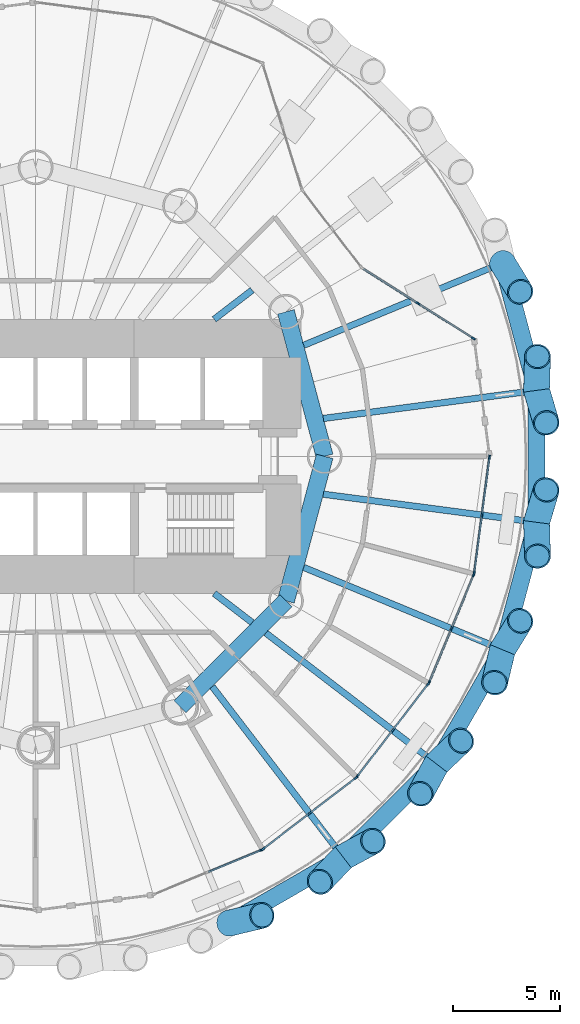
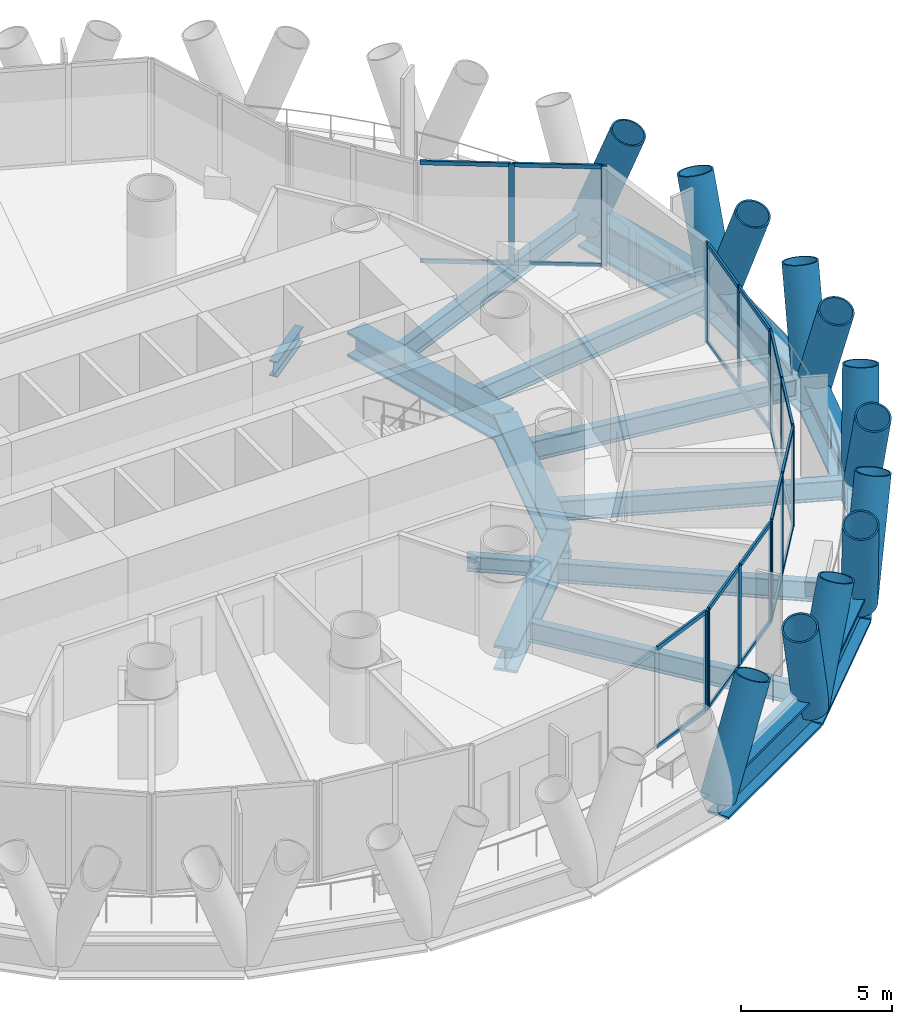
# One storey, part 4 of 15: 49 members, 17 beams, 6 elements without a shape of their own.
"""IFC4 building model written with IfcOpenShell, lengths in metres."""

from ifc_helpers import new_model, si_unit, direction, frame, origin, origin_2d, place, context, subcontext, project, spatial, rectangle, hollow_circle, i_section, extrude, material, material_profile, profile_set, type_object, element, aggregate, save


model = new_model("IFC4")

# Units and contexts
model_context = context("Model", 3, precision=1e-05, world=origin(), true_north=direction((0.0, 1.0)))
body_context = subcontext(model_context, "Body", "Model", "MODEL_VIEW")
ifc_project = project(units=[si_unit("LENGTHUNIT", "METRE"), si_unit("AREAUNIT", "SQUARE_METRE"), si_unit("VOLUMEUNIT", "CUBIC_METRE"), si_unit("PLANEANGLEUNIT", "RADIAN"), si_unit("MASSUNIT", "GRAM", prefix="KILO")], contexts=[model_context])

# Site, building, storey
site_placement = place(None, origin())
site = spatial("IfcSite", under=ifc_project, at=site_placement, CompositionType="ELEMENT")
building_placement = place(site_placement, origin())
building = spatial("IfcBuilding", under=site, at=building_placement, Name="Qaws Media Tower", CompositionType="ELEMENT")
storey_placement = place(building_placement, frame((0.0, 0.0, 34.39990234375)))
storey = spatial("IfcBuildingStorey", under=building, at=storey_placement, Name="L06", CompositionType="ELEMENT", Elevation=34.39990234375)

# Curtain wall, members
ifc_material_1 = material(Name="Aluminium and clear glass", Category="aluminium")
curtain_wall_type_1 = type_object("IfcCurtainWallType", Name="Loggia curtain wall CW-G", PredefinedType="NOTDEFINED", material=ifc_material_1)
curtain_wall_1_placement = place(storey_placement, origin())
curtain_wall_1 = element("IfcCurtainWall", 1, at=curtain_wall_1_placement, inside=storey, type_object=curtain_wall_type_1, Name="CWG curtain wall L06-02", PredefinedType="NOTDEFINED")
ifc_material_2 = material(Name="Aluminium mullion", Category="aluminium")
ifc_material_profile_1 = material_profile(ifc_material_2, rectangle(XDim=0.080078125, YDim=0.199951171875, at=origin_2d()), Name="80x200")
ifc_profile_set_1 = profile_set([ifc_material_profile_1], Name="Aluminium mullion")
member_type_1 = type_object("IfcMemberType", Name="Curtain wall mullion 80x200", PredefinedType="MULLION", material=ifc_profile_set_1)
member_1_placement = place(storey_placement, frame((80.44384765625, 55.50830078125, 0.0), z_axis=(0.0, 0.0, 1.0), x_axis=(-0.534725813808, -0.845025623308, 0.0)))
member_1 = element("IfcMember", 2, at=member_1_placement, type_object=member_type_1, Name="CWG mullion 1", PredefinedType="MULLION", context=body_context, shape_type="SweptSolid", body=[
    extrude(rectangle(XDim=0.080078125, YDim=0.199951171875, at=origin_2d()), origin(), (0.0, 0.0, 1.0), 4.0400390625),
])
member_2_placement = place(storey_placement, frame((77.85986328125, 57.1435546875, 0.0), z_axis=(0.0, 0.0, 1.0), x_axis=(-0.534725813808, -0.845025623308, 0.0)))
member_2 = element("IfcMember", 3, at=member_2_placement, type_object=member_type_1, Name="CWG mullion 2", PredefinedType="MULLION", context=body_context, shape_type="SweptSolid", body=[
    extrude(rectangle(XDim=0.080078125, YDim=0.199951171875, at=origin_2d()), origin(), (0.0, 0.0, 1.0), 4.0400390625),
])

# Curtain wall, member
ifc_material_3 = material(Name="Aluminium and clear glass", Category="aluminium")
curtain_wall_type_2 = type_object("IfcCurtainWallType", Name="Unitised curtain wall CW-A", PredefinedType="NOTDEFINED", material=ifc_material_3)
curtain_wall_2_placement = place(storey_placement, origin())
curtain_wall_2 = element("IfcCurtainWall", 4, at=curtain_wall_2_placement, inside=storey, type_object=curtain_wall_type_2, Name="CWA curtain wall L06-20", PredefinedType="NOTDEFINED")
member_3_placement = place(storey_placement, frame((70.56298828125, 31.625, 0.0), z_axis=(0.0, 0.0, 1.0), x_axis=(-0.382683454553, 0.923879523321, 0.0)))
member_3 = element("IfcMember", 5, at=member_3_placement, type_object=member_type_1, Name="CWA mullion 3", PredefinedType="MULLION", context=body_context, shape_type="SweptSolid", body=[
    extrude(rectangle(XDim=0.080078125, YDim=0.199951171875, at=origin_2d()), origin(), (0.0, 0.0, 1.0), 4.0400390625),
])

# Curtain wall, members
curtain_wall_3_placement = place(storey_placement, origin())
curtain_wall_3 = element("IfcCurtainWall", 6, at=curtain_wall_3_placement, inside=storey, type_object=curtain_wall_type_2, Name="CWA curtain wall L06-21", PredefinedType="NOTDEFINED")
member_4_placement = place(storey_placement, frame((70.6318359375, 31.66455078125, 0.0), z_axis=(0.0, 0.0, 1.0), x_axis=(-0.608761431016, 0.793353338751, 0.0)))
member_4 = element("IfcMember", 7, at=member_4_placement, type_object=member_type_1, Name="CWA mullion 1", PredefinedType="MULLION", context=body_context, shape_type="SweptSolid", body=[
    extrude(rectangle(XDim=0.080078125, YDim=0.199951171875, at=origin_2d()), origin(), (0.0, 0.0, 1.0), 4.0400390625),
])
member_5_placement = place(storey_placement, frame((72.79541015625, 33.32470703125, 0.0), z_axis=(0.0, 0.0, 1.0), x_axis=(-0.608761431016, 0.793353338751, 0.0)))
member_5 = element("IfcMember", 8, at=member_5_placement, type_object=member_type_1, Name="CWA mullion 2", PredefinedType="MULLION", context=body_context, shape_type="SweptSolid", body=[
    extrude(rectangle(XDim=0.080078125, YDim=0.199951171875, at=origin_2d()), origin(), (0.0, 0.0, 1.0), 4.0400390625),
])
member_6_placement = place(storey_placement, frame((74.958984375, 34.985107421875, 0.0), z_axis=(0.0, 0.0, 1.0), x_axis=(-0.608761431016, 0.793353338751, 0.0)))
member_6 = element("IfcMember", 9, at=member_6_placement, type_object=member_type_1, Name="CWA mullion 3", PredefinedType="MULLION", context=body_context, shape_type="SweptSolid", body=[
    extrude(rectangle(XDim=0.080078125, YDim=0.199951171875, at=origin_2d()), origin(), (0.0, 0.0, 1.0), 4.0400390625),
])

curtain_wall_4_placement = place(storey_placement, origin())
curtain_wall_4 = element("IfcCurtainWall", 10, at=curtain_wall_4_placement, inside=storey, type_object=curtain_wall_type_2, Name="CWA curtain wall L06-22", PredefinedType="NOTDEFINED")
member_7_placement = place(storey_placement, frame((75.014892578125, 35.041015625, 0.0), z_axis=(0.0, 0.0, 1.0), x_axis=(-0.793353338751, 0.608761431016, 0.0)))
member_7 = element("IfcMember", 11, at=member_7_placement, type_object=member_type_1, Name="CWA mullion 1", PredefinedType="MULLION", context=body_context, shape_type="SweptSolid", body=[
    extrude(rectangle(XDim=0.080078125, YDim=0.199951171875, at=origin_2d()), origin(), (0.0, 0.0, 1.0), 4.0400390625),
])
member_8_placement = place(storey_placement, frame((76.67529296875, 37.20458984375, 0.0), z_axis=(0.0, 0.0, 1.0), x_axis=(-0.793353338751, 0.608761431016, 0.0)))
member_8 = element("IfcMember", 12, at=member_8_placement, type_object=member_type_1, Name="CWA mullion 2", PredefinedType="MULLION", context=body_context, shape_type="SweptSolid", body=[
    extrude(rectangle(XDim=0.080078125, YDim=0.199951171875, at=origin_2d()), origin(), (0.0, 0.0, 1.0), 4.0400390625),
])
member_9_placement = place(storey_placement, frame((78.33544921875, 39.3681640625, 0.0), z_axis=(0.0, 0.0, 1.0), x_axis=(-0.793353338751, 0.608761431016, 0.0)))
member_9 = element("IfcMember", 13, at=member_9_placement, type_object=member_type_1, Name="CWA mullion 3", PredefinedType="MULLION", context=body_context, shape_type="SweptSolid", body=[
    extrude(rectangle(XDim=0.080078125, YDim=0.199951171875, at=origin_2d()), origin(), (0.0, 0.0, 1.0), 4.0400390625),
])

curtain_wall_5_placement = place(storey_placement, origin())
curtain_wall_5 = element("IfcCurtainWall", 14, at=curtain_wall_5_placement, inside=storey, type_object=curtain_wall_type_2, Name="CWA curtain wall L06-23", PredefinedType="NOTDEFINED")
member_10_placement = place(storey_placement, frame((78.375, 39.43701171875, 0.0), z_axis=(0.0, 0.0, 1.0), x_axis=(-0.923879523321, 0.382683454553, 0.0)))
member_10 = element("IfcMember", 15, at=member_10_placement, type_object=member_type_1, Name="CWA mullion 1", PredefinedType="MULLION", context=body_context, shape_type="SweptSolid", body=[
    extrude(rectangle(XDim=0.080078125, YDim=0.199951171875, at=origin_2d()), origin(), (0.0, 0.0, 1.0), 4.0400390625),
])
member_11_placement = place(storey_placement, frame((79.418701171875, 41.95654296875, 0.0), z_axis=(0.0, 0.0, 1.0), x_axis=(-0.923879523321, 0.382683454553, 0.0)))
member_11 = element("IfcMember", 16, at=member_11_placement, type_object=member_type_1, Name="CWA mullion 2", PredefinedType="MULLION", context=body_context, shape_type="SweptSolid", body=[
    extrude(rectangle(XDim=0.080078125, YDim=0.199951171875, at=origin_2d()), origin(), (0.0, 0.0, 1.0), 4.0400390625),
])
member_12_placement = place(storey_placement, frame((80.46240234375, 44.47607421875, 0.0), z_axis=(0.0, 0.0, 1.0), x_axis=(-0.923879523321, 0.382683454553, 0.0)))
member_12 = element("IfcMember", 17, at=member_12_placement, type_object=member_type_1, Name="CWA mullion 3", PredefinedType="MULLION", context=body_context, shape_type="SweptSolid", body=[
    extrude(rectangle(XDim=0.080078125, YDim=0.199951171875, at=origin_2d()), origin(), (0.0, 0.0, 1.0), 4.0400390625),
])

curtain_wall_6_placement = place(storey_placement, origin())
curtain_wall_6 = element("IfcCurtainWall", 18, at=curtain_wall_6_placement, inside=storey, type_object=curtain_wall_type_2, Name="CWA curtain wall L06-24", PredefinedType="NOTDEFINED")
member_13_placement = place(storey_placement, frame((80.48291015625, 44.552734375, 0.0), z_axis=(0.0, 0.0, 1.0), x_axis=(-0.991444873411, 0.130526100786, 0.0)))
member_13 = element("IfcMember", 19, at=member_13_placement, type_object=member_type_1, Name="CWA mullion 1", PredefinedType="MULLION", context=body_context, shape_type="SweptSolid", body=[
    extrude(rectangle(XDim=0.080078125, YDim=0.199951171875, at=origin_2d()), origin(), (0.0, 0.0, 1.0), 4.0400390625),
])
member_14_placement = place(storey_placement, frame((80.8388671875, 47.256591796875, 0.0), z_axis=(0.0, 0.0, 1.0), x_axis=(-0.991444873411, 0.130526100786, 0.0)))
member_14 = element("IfcMember", 20, at=member_14_placement, type_object=member_type_1, Name="CWA mullion 2", PredefinedType="MULLION", context=body_context, shape_type="SweptSolid", body=[
    extrude(rectangle(XDim=0.080078125, YDim=0.199951171875, at=origin_2d()), origin(), (0.0, 0.0, 1.0), 4.0400390625),
])
member_15_placement = place(storey_placement, frame((81.19482421875, 49.96044921875, 0.0), z_axis=(0.0, 0.0, 1.0), x_axis=(-0.991444873411, 0.130526100786, 0.0)))
member_15 = element("IfcMember", 21, at=member_15_placement, type_object=member_type_1, Name="CWA mullion 3", PredefinedType="MULLION", context=body_context, shape_type="SweptSolid", body=[
    extrude(rectangle(XDim=0.080078125, YDim=0.199951171875, at=origin_2d()), origin(), (0.0, 0.0, 1.0), 4.0400390625),
])

# Member
ifc_material_4 = material(Name="Aluminium transom", Category="aluminium")
ifc_material_profile_2 = material_profile(ifc_material_4, rectangle(XDim=0.080078125, YDim=0.159912109375, at=origin_2d()), Name="80x160")
ifc_profile_set_2 = profile_set([ifc_material_profile_2], Name="Aluminium transom")
member_type_2 = type_object("IfcMemberType", Name="Curtain wall transom 80x160", PredefinedType="USERDEFINED", material=ifc_profile_set_2)
member_16_placement = place(storey_placement, frame((80.409912109375, 55.52978515625, 0.0400390625), z_axis=(-0.845032718667, 0.534714600868, 0.0), x_axis=(-0.534714600868, -0.845032718667, 0.0)))
member_16 = element("IfcMember", 22, at=member_16_placement, type_object=member_type_2, Name="CWG transom 1.1", ObjectType="TRANSOM", PredefinedType="USERDEFINED", context=body_context, shape_type="SweptSolid", body=[
    extrude(rectangle(XDim=0.080078125, YDim=0.159912109375, at=origin_2d()), origin(), (0.0, 0.0, 1.0), 2.977783203125),
])

member_17_placement = place(storey_placement, frame((80.409912109375, 55.52978515625, 4.0), z_axis=(-0.845032718667, 0.534714600868, 0.0), x_axis=(-0.534714600868, -0.845032718667, 0.0)))
member_17 = element("IfcMember", 23, at=member_17_placement, type_object=member_type_2, Name="CWG transom 1.2", ObjectType="TRANSOM", PredefinedType="USERDEFINED", context=body_context, shape_type="SweptSolid", body=[
    extrude(rectangle(XDim=0.080078125, YDim=0.159912109375, at=origin_2d()), origin(), (0.0, 0.0, 1.0), 2.977783203125),
])

member_18_placement = place(storey_placement, frame((77.825927734375, 57.164794921875, 0.0400390625), z_axis=(-0.844995672648, 0.534773141815, 0.0), x_axis=(-0.534773141815, -0.844995672648, 0.0)))
member_18 = element("IfcMember", 24, at=member_18_placement, type_object=member_type_2, Name="CWG transom 2.1", ObjectType="TRANSOM", PredefinedType="USERDEFINED", context=body_context, shape_type="SweptSolid", body=[
    extrude(rectangle(XDim=0.080078125, YDim=0.159912109375, at=origin_2d()), origin(), (0.0, 0.0, 1.0), 2.97802734375),
])

member_19_placement = place(storey_placement, frame((77.825927734375, 57.164794921875, 4.0), z_axis=(-0.844995672648, 0.534773141815, 0.0), x_axis=(-0.534773141815, -0.844995672648, 0.0)))
member_19 = element("IfcMember", 25, at=member_19_placement, type_object=member_type_2, Name="CWG transom 2.2", ObjectType="TRANSOM", PredefinedType="USERDEFINED", context=body_context, shape_type="SweptSolid", body=[
    extrude(rectangle(XDim=0.080078125, YDim=0.159912109375, at=origin_2d()), origin(), (0.0, 0.0, 1.0), 2.97802734375),
])

aggregate(curtain_wall_1, [member_1, member_2, member_16, member_17, member_18, member_19])

member_20_placement = place(storey_placement, frame((68.080322265625, 30.5966796875, 0.0400390625), z_axis=(0.923898816777, 0.38263687271, 0.0), x_axis=(-0.38263687271, 0.923898816777, 0.0)))
member_20 = element("IfcMember", 26, at=member_20_placement, type_object=member_type_2, Name="CWA transom 2.1", ObjectType="TRANSOM", PredefinedType="USERDEFINED", context=body_context, shape_type="SweptSolid", body=[
    extrude(rectangle(XDim=0.080078125, YDim=0.159912109375, at=origin_2d()), origin(), (0.0, 0.0, 1.0), 2.647216796875),
])

member_21_placement = place(storey_placement, frame((68.080322265625, 30.5966796875, 4.0), z_axis=(0.923898816777, 0.38263687271, 0.0), x_axis=(-0.38263687271, 0.923898816777, 0.0)))
member_21 = element("IfcMember", 27, at=member_21_placement, type_object=member_type_2, Name="CWA transom 2.2", ObjectType="TRANSOM", PredefinedType="USERDEFINED", context=body_context, shape_type="SweptSolid", body=[
    extrude(rectangle(XDim=0.080078125, YDim=0.159912109375, at=origin_2d()), origin(), (0.0, 0.0, 1.0), 2.647216796875),
])

aggregate(curtain_wall_2, [member_3, member_20, member_21])

member_22_placement = place(storey_placement, frame((70.66357421875, 31.68896484375, 0.0400390625), z_axis=(0.793333151209, 0.608787739029, 0.0), x_axis=(-0.608787739029, 0.793333151209, 0.0)))
member_22 = element("IfcMember", 28, at=member_22_placement, type_object=member_type_2, Name="CWA transom 1.1", ObjectType="TRANSOM", PredefinedType="USERDEFINED", context=body_context, shape_type="SweptSolid", body=[
    extrude(rectangle(XDim=0.080078125, YDim=0.159912109375, at=origin_2d()), origin(), (0.0, 0.0, 1.0), 2.647216796875),
])

member_23_placement = place(storey_placement, frame((70.66357421875, 31.68896484375, 4.0), z_axis=(0.793333151209, 0.608787739029, 0.0), x_axis=(-0.608787739029, 0.793333151209, 0.0)))
member_23 = element("IfcMember", 29, at=member_23_placement, type_object=member_type_2, Name="CWA transom 1.2", ObjectType="TRANSOM", PredefinedType="USERDEFINED", context=body_context, shape_type="SweptSolid", body=[
    extrude(rectangle(XDim=0.080078125, YDim=0.159912109375, at=origin_2d()), origin(), (0.0, 0.0, 1.0), 2.647216796875),
])

member_24_placement = place(storey_placement, frame((72.8271484375, 33.34912109375, 0.0400390625), z_axis=(0.793333151209, 0.608787739029, 0.0), x_axis=(-0.608787739029, 0.793333151209, 0.0)))
member_24 = element("IfcMember", 30, at=member_24_placement, type_object=member_type_2, Name="CWA transom 2.1", ObjectType="TRANSOM", PredefinedType="USERDEFINED", context=body_context, shape_type="SweptSolid", body=[
    extrude(rectangle(XDim=0.080078125, YDim=0.159912109375, at=origin_2d()), origin(), (0.0, 0.0, 1.0), 2.647216796875),
])

member_25_placement = place(storey_placement, frame((72.8271484375, 33.34912109375, 4.0), z_axis=(0.793333151209, 0.608787739029, 0.0), x_axis=(-0.608787739029, 0.793333151209, 0.0)))
member_25 = element("IfcMember", 31, at=member_25_placement, type_object=member_type_2, Name="CWA transom 2.2", ObjectType="TRANSOM", PredefinedType="USERDEFINED", context=body_context, shape_type="SweptSolid", body=[
    extrude(rectangle(XDim=0.080078125, YDim=0.159912109375, at=origin_2d()), origin(), (0.0, 0.0, 1.0), 2.647216796875),
])

aggregate(curtain_wall_3, [member_4, member_5, member_6, member_22, member_23, member_24, member_25])

member_26_placement = place(storey_placement, frame((75.039306640625, 35.07275390625, 0.0400390625), z_axis=(0.608787739029, 0.793333151209, 0.0), x_axis=(-0.793333151209, 0.608787739029, 0.0)))
member_26 = element("IfcMember", 32, at=member_26_placement, type_object=member_type_2, Name="CWA transom 1.1", ObjectType="TRANSOM", PredefinedType="USERDEFINED", context=body_context, shape_type="SweptSolid", body=[
    extrude(rectangle(XDim=0.080078125, YDim=0.159912109375, at=origin_2d()), origin(), (0.0, 0.0, 1.0), 2.647216796875),
])

member_27_placement = place(storey_placement, frame((75.039306640625, 35.07275390625, 4.0), z_axis=(0.608787739029, 0.793333151209, 0.0), x_axis=(-0.793333151209, 0.608787739029, 0.0)))
member_27 = element("IfcMember", 33, at=member_27_placement, type_object=member_type_2, Name="CWA transom 1.2", ObjectType="TRANSOM", PredefinedType="USERDEFINED", context=body_context, shape_type="SweptSolid", body=[
    extrude(rectangle(XDim=0.080078125, YDim=0.159912109375, at=origin_2d()), origin(), (0.0, 0.0, 1.0), 2.647216796875),
])

member_28_placement = place(storey_placement, frame((76.699462890625, 37.236328125, 0.0400390625), z_axis=(0.608787739029, 0.793333151209, 0.0), x_axis=(-0.793333151209, 0.608787739029, 0.0)))
member_28 = element("IfcMember", 34, at=member_28_placement, type_object=member_type_2, Name="CWA transom 2.1", ObjectType="TRANSOM", PredefinedType="USERDEFINED", context=body_context, shape_type="SweptSolid", body=[
    extrude(rectangle(XDim=0.080078125, YDim=0.159912109375, at=origin_2d()), origin(), (0.0, 0.0, 1.0), 2.647216796875),
])

member_29_placement = place(storey_placement, frame((76.699462890625, 37.236328125, 4.0), z_axis=(0.608787739029, 0.793333151209, 0.0), x_axis=(-0.793333151209, 0.608787739029, 0.0)))
member_29 = element("IfcMember", 35, at=member_29_placement, type_object=member_type_2, Name="CWA transom 2.2", ObjectType="TRANSOM", PredefinedType="USERDEFINED", context=body_context, shape_type="SweptSolid", body=[
    extrude(rectangle(XDim=0.080078125, YDim=0.159912109375, at=origin_2d()), origin(), (0.0, 0.0, 1.0), 2.647216796875),
])

aggregate(curtain_wall_4, [member_7, member_8, member_9, member_26, member_27, member_28, member_29])

member_30_placement = place(storey_placement, frame((78.390380859375, 39.473876953125, 0.0400390625), z_axis=(0.38263687271, 0.923898816777, 0.0), x_axis=(-0.923898816777, 0.38263687271, 0.0)))
member_30 = element("IfcMember", 36, at=member_30_placement, type_object=member_type_2, Name="CWA transom 1.1", ObjectType="TRANSOM", PredefinedType="USERDEFINED", context=body_context, shape_type="SweptSolid", body=[
    extrude(rectangle(XDim=0.080078125, YDim=0.159912109375, at=origin_2d()), origin(), (0.0, 0.0, 1.0), 2.647216796875),
])

member_31_placement = place(storey_placement, frame((78.390380859375, 39.473876953125, 4.0), z_axis=(0.38263687271, 0.923898816777, 0.0), x_axis=(-0.923898816777, 0.38263687271, 0.0)))
member_31 = element("IfcMember", 37, at=member_31_placement, type_object=member_type_2, Name="CWA transom 1.2", ObjectType="TRANSOM", PredefinedType="USERDEFINED", context=body_context, shape_type="SweptSolid", body=[
    extrude(rectangle(XDim=0.080078125, YDim=0.159912109375, at=origin_2d()), origin(), (0.0, 0.0, 1.0), 2.647216796875),
])

member_32_placement = place(storey_placement, frame((79.43408203125, 41.993408203125, 0.0400390625), z_axis=(0.38263687271, 0.923898816777, 0.0), x_axis=(-0.923898816777, 0.38263687271, 0.0)))
member_32 = element("IfcMember", 38, at=member_32_placement, type_object=member_type_2, Name="CWA transom 2.1", ObjectType="TRANSOM", PredefinedType="USERDEFINED", context=body_context, shape_type="SweptSolid", body=[
    extrude(rectangle(XDim=0.080078125, YDim=0.159912109375, at=origin_2d()), origin(), (0.0, 0.0, 1.0), 2.647216796875),
])

member_33_placement = place(storey_placement, frame((79.43408203125, 41.993408203125, 4.0), z_axis=(0.38263687271, 0.923898816777, 0.0), x_axis=(-0.923898816777, 0.38263687271, 0.0)))
member_33 = element("IfcMember", 39, at=member_33_placement, type_object=member_type_2, Name="CWA transom 2.2", ObjectType="TRANSOM", PredefinedType="USERDEFINED", context=body_context, shape_type="SweptSolid", body=[
    extrude(rectangle(XDim=0.080078125, YDim=0.159912109375, at=origin_2d()), origin(), (0.0, 0.0, 1.0), 2.647216796875),
])

aggregate(curtain_wall_5, [member_10, member_11, member_12, member_30, member_31, member_32, member_33])

member_34_placement = place(storey_placement, frame((80.488037109375, 44.59228515625, 0.0400390625), z_axis=(0.130502227239, 0.991448016129, 0.0), x_axis=(-0.991448016129, 0.130502227239, 0.0)))
member_34 = element("IfcMember", 40, at=member_34_placement, type_object=member_type_2, Name="CWA transom 1.1", ObjectType="TRANSOM", PredefinedType="USERDEFINED", context=body_context, shape_type="SweptSolid", body=[
    extrude(rectangle(XDim=0.080078125, YDim=0.159912109375, at=origin_2d()), origin(), (0.0, 0.0, 1.0), 2.647216796875),
])

member_35_placement = place(storey_placement, frame((80.488037109375, 44.59228515625, 4.0), z_axis=(0.130502227239, 0.991448016129, 0.0), x_axis=(-0.991448016129, 0.130502227239, 0.0)))
member_35 = element("IfcMember", 41, at=member_35_placement, type_object=member_type_2, Name="CWA transom 1.2", ObjectType="TRANSOM", PredefinedType="USERDEFINED", context=body_context, shape_type="SweptSolid", body=[
    extrude(rectangle(XDim=0.080078125, YDim=0.159912109375, at=origin_2d()), origin(), (0.0, 0.0, 1.0), 2.647216796875),
])

member_36_placement = place(storey_placement, frame((80.843994140625, 47.296142578125, 0.0400390625), z_axis=(0.130502227239, 0.991448016129, 0.0), x_axis=(-0.991448016129, 0.130502227239, 0.0)))
member_36 = element("IfcMember", 42, at=member_36_placement, type_object=member_type_2, Name="CWA transom 2.1", ObjectType="TRANSOM", PredefinedType="USERDEFINED", context=body_context, shape_type="SweptSolid", body=[
    extrude(rectangle(XDim=0.080078125, YDim=0.159912109375, at=origin_2d()), origin(), (0.0, 0.0, 1.0), 2.647216796875),
])

member_37_placement = place(storey_placement, frame((80.843994140625, 47.296142578125, 4.0), z_axis=(0.130502227239, 0.991448016129, 0.0), x_axis=(-0.991448016129, 0.130502227239, 0.0)))
member_37 = element("IfcMember", 43, at=member_37_placement, type_object=member_type_2, Name="CWA transom 2.2", ObjectType="TRANSOM", PredefinedType="USERDEFINED", context=body_context, shape_type="SweptSolid", body=[
    extrude(rectangle(XDim=0.080078125, YDim=0.159912109375, at=origin_2d()), origin(), (0.0, 0.0, 1.0), 2.647216796875),
])

aggregate(curtain_wall_6, [member_13, member_14, member_15, member_34, member_35, member_36, member_37])

# Members
ifc_material_5 = material(Name="Steel S460", Category="steel")
ifc_material_profile_3 = material_profile(ifc_material_5, hollow_circle(Radius=0.609619140625, WallThickness=0.06005859375, at=origin_2d()), Name="CHS 1219x60")
ifc_profile_set_3 = profile_set([ifc_material_profile_3], Name="Steel S460")
member_type_3 = type_object("IfcMemberType", Name="Diagrid member CHS 1219x60", PredefinedType="USERDEFINED", material=ifc_profile_set_3)
for number, where, z_axis, x_axis, name in (
    (44, (83.398193359375, 53.080322265625, -0.909912109375), (0.009464676487, 0.352532001786, 0.935751894263), (-0.999639794984, 0.026838038008, 0.0), "DG1 diagrid L06 A01"),
    (45, (83.398193359375, 53.080322265625, -0.909912109375), (0.100414403479, -0.338014682134, 0.935768679876), (0.958595556334, 0.284771064852, 0.0), "DG1 diagrid L06 B01"),
    (46, (81.803466796875, 59.03125, -0.909912109375), (0.184507437707, -0.300531719733, 0.935755144717), (0.85220863007, 0.523202112796, 0.0), "DG1 diagrid L06 B02"),
    (47, (69.03125, 28.196533203125, -0.909912109375), (0.343009853976, 0.082026460481, 0.935743501103), (-0.232579556178, 0.972577374839, 0.0), "DG1 diagrid L06 A20"),
    (48, (74.36669921875, 31.27685546875, -0.909912109375), (0.310050534086, 0.168025631543, 0.935754269805), (-0.476462021182, 0.879195053655, 0.0), "DG1 diagrid L06 A21"),
    (49, (74.36669921875, 31.27685546875, -0.909912109375), (-0.24254755553, -0.255983134408, 0.935758151557), (0.725899989111, -0.687800265926, 0.0), "DG1 diagrid L06 B21"),
    (50, (78.72314453125, 35.63330078125, -0.909912109375), (0.255983134408, 0.24254755553, 0.935758151557), (-0.687800265926, 0.725899989111, 0.0), "DG1 diagrid L06 A22"),
    (51, (78.72314453125, 35.63330078125, -0.909912109375), (-0.168025631543, -0.310050534086, 0.935754269805), (0.879195053655, -0.476462021182, 0.0), "DG1 diagrid L06 B22"),
    (52, (81.803466796875, 40.96875, -0.909912109375), (0.184507437707, 0.300531719733, 0.935755144717), (-0.85220863007, 0.523202112796, 0.0), "DG1 diagrid L06 A23"),
    (53, (81.803466796875, 40.96875, -0.909912109375), (-0.082026460481, -0.343009853976, 0.935743501103), (0.972577374839, -0.232579556178, 0.0), "DG1 diagrid L06 B23"),
    (54, (83.398193359375, 46.919677734375, -0.909912109375), (0.100414403479, 0.338014682134, 0.935768679876), (-0.958595556334, 0.284771064852, 0.0), "DG1 diagrid L06 A24"),
    (55, (83.398193359375, 46.919677734375, -0.909912109375), (0.009464676487, -0.352532001786, 0.935751894263), (0.999639794984, 0.026838038008, 0.0), "DG1 diagrid L06 B24"),
):
    element("IfcMember", number, at=place(storey_placement, frame(where, z_axis=z_axis, x_axis=x_axis)), inside=storey, type_object=member_type_3, Name=name, ObjectType="DIAGRID", PredefinedType="USERDEFINED", context=body_context, shape_type="SweptSolid", body=[
        extrude(hollow_circle(Radius=0.609619140625, WallThickness=0.06005859375, at=origin_2d()), origin(), (0.0, 0.0, 1.0), 4.48828125),
    ])

# Beams
ifc_material_6 = material(Name="Steel S460", Category="steel")
ifc_material_profile_4 = material_profile(ifc_material_6, i_section(OverallWidth=0.800048828125, OverallDepth=1.5, WebThickness=0.0400390625, FlangeThickness=0.10009765625, at=origin_2d()), Name="PG 1500x800")
ifc_profile_set_4 = profile_set([ifc_material_profile_4], Name="Steel S460")
beam_type_1 = type_object("IfcBeamType", Name="Edge ring beam PG 1500x800", PredefinedType="BEAM", material=ifc_profile_set_4)
for number, where, z_axis, x_axis, name in (
    (56, (83.398193359375, 53.080322265625, -0.909912109375), (-0.258846347058, 0.965918510339, 0.0), (-0.965918510339, -0.258846347058, 0.0), "RB7 edge ring beam L06-01"),
    (57, (69.03125, 28.196533203125, -0.909912109375), (0.866032486833, 0.499987731599, 0.0), (-0.499987731599, 0.866032486833, 0.0), "RB7 edge ring beam L06-20"),
    (58, (74.36669921875, 31.27685546875, -0.909912109375), (0.707106781187, 0.707106781187, 0.0), (-0.707106781187, 0.707106781187, 0.0), "RB7 edge ring beam L06-21"),
    (59, (78.72314453125, 35.63330078125, -0.909912109375), (0.499987731599, 0.866032486833, 0.0), (-0.866032486833, 0.499987731599, 0.0), "RB7 edge ring beam L06-22"),
    (60, (81.803466796875, 40.96875, -0.909912109375), (0.258846347058, 0.965918510339, 0.0), (-0.965918510339, 0.258846347058, 0.0), "RB7 edge ring beam L06-23"),
):
    element("IfcBeam", number, at=place(storey_placement, frame(where, z_axis=z_axis, x_axis=x_axis)), inside=storey, type_object=beam_type_1, Name=name, PredefinedType="BEAM", context=body_context, shape_type="SweptSolid", body=[
        extrude(i_section(OverallWidth=0.800048828125, OverallDepth=1.5, WebThickness=0.0400390625, FlangeThickness=0.10009765625, at=origin_2d()), origin(), (0.0, 0.0, 1.0), 6.160888671875),
    ])
beam_1_placement = place(storey_placement, frame((83.398193359375, 46.919677734375, -0.909912109375), z_axis=(0.0, 1.0, 0.0), x_axis=(-1.0, 0.0, 0.0)))
element("IfcBeam", 61, at=beam_1_placement, inside=storey, type_object=beam_type_1, Name="RB7 edge ring beam L06-24", PredefinedType="BEAM", context=body_context, shape_type="SweptSolid", body=[
    extrude(i_section(OverallWidth=0.800048828125, OverallDepth=1.5, WebThickness=0.0400390625, FlangeThickness=0.10009765625, at=origin_2d()), origin(), (0.0, 0.0, 1.0), 6.16064453125),
])
ifc_material_7 = material(Name="Steel S460", Category="steel")
ifc_material_profile_5 = material_profile(ifc_material_7, i_section(OverallWidth=0.800048828125, OverallDepth=1.0, WebThickness=0.0400390625, FlangeThickness=0.10009765625, at=origin_2d()), Name="PG 1000x800")
ifc_profile_set_5 = profile_set([ifc_material_profile_5], Name="Steel S460")
beam_type_2 = type_object("IfcBeamType", Name="Inner ring girder PG 1000x800", PredefinedType="BEAM", material=ifc_profile_set_5)
beam_2_placement = place(storey_placement, frame((73.5, 50.0, -0.659912109375), z_axis=(-0.258810593767, 0.965928090778, 0.0), x_axis=(-0.965928090778, -0.258810593767, 0.0)))
element("IfcBeam", 62, at=beam_2_placement, inside=storey, type_object=beam_type_2, Name="B3 inner ring beam L06 I01-I02", PredefinedType="BEAM", context=body_context, shape_type="SweptSolid", body=[
    extrude(i_section(OverallWidth=0.800048828125, OverallDepth=1.0, WebThickness=0.0400390625, FlangeThickness=0.10009765625, at=origin_2d()), origin(), (0.0, 0.0, 1.0), 6.988037109375),
])
beam_3_placement = place(storey_placement, frame((66.75, 38.30859375, -0.659912109375), z_axis=(0.707106781187, 0.707106781187, 0.0), x_axis=(-0.707106781187, 0.707106781187, 0.0)))
element("IfcBeam", 63, at=beam_3_placement, inside=storey, type_object=beam_type_2, Name="B3 inner ring beam L06 I11-I12", PredefinedType="BEAM", context=body_context, shape_type="SweptSolid", body=[
    extrude(i_section(OverallWidth=0.800048828125, OverallDepth=1.0, WebThickness=0.0400390625, FlangeThickness=0.10009765625, at=origin_2d()), origin(), (0.0, 0.0, 1.0), 6.98828125),
])
beam_4_placement = place(storey_placement, frame((71.69140625, 43.25, -0.659912109375), z_axis=(0.258810593767, 0.965928090778, 0.0), x_axis=(-0.965928090778, 0.258810593767, 0.0)))
element("IfcBeam", 64, at=beam_4_placement, inside=storey, type_object=beam_type_2, Name="B3 inner ring beam L06 I12-I01", PredefinedType="BEAM", context=body_context, shape_type="SweptSolid", body=[
    extrude(i_section(OverallWidth=0.800048828125, OverallDepth=1.0, WebThickness=0.0400390625, FlangeThickness=0.10009765625, at=origin_2d()), origin(), (0.0, 0.0, 1.0), 6.988037109375),
])
ifc_material_8 = material(Name="Steel S355", Category="steel")
ifc_material_profile_6 = material_profile(ifc_material_8, i_section(OverallWidth=0.304931640625, OverallDepth=0.6201171875, WebThickness=0.02099609375, FlangeThickness=0.0400390625, FilletRadius=0.027099609375, at=origin_2d()), Name="HE 600 M")
ifc_profile_set_6 = profile_set([ifc_material_profile_6], Name="Steel S355")
beam_type_3 = type_object("IfcBeamType", Name="Radial beam HE 600 M, core side", PredefinedType="BEAM", material=ifc_profile_set_6)
for number, where, z_axis, x_axis, name in (
    (65, (68.340576171875, 56.39990234375, -0.469970703125), (0.793321589474, 0.608802805245, 0.0), (-0.608802805245, 0.793321589474, 0.0), "B2 radial beam L06 03"),
    (66, (68.340576171875, 43.60009765625, -0.469970703125), (0.793321589474, -0.608802805245, 0.0), (0.608802805245, 0.793321589474, 0.0), "B2 radial beam L06 22"),
):
    element("IfcBeam", number, at=place(storey_placement, frame(where, z_axis=z_axis, x_axis=x_axis)), inside=storey, type_object=beam_type_3, Name=name, PredefinedType="BEAM", context=body_context, shape_type="SweptSolid", body=[
        extrude(i_section(OverallWidth=0.304931640625, OverallDepth=0.6201171875, WebThickness=0.02099609375, FlangeThickness=0.0400390625, FilletRadius=0.027099609375, at=origin_2d()), origin(), (0.0, 0.0, 1.0), 2.236083984375),
    ])
ifc_material_9 = material(Name="Steel S355", Category="steel")
ifc_material_profile_7 = material_profile(ifc_material_9, i_section(OverallWidth=0.300048828125, OverallDepth=0.800048828125, WebThickness=0.017578125, FlangeThickness=0.032958984375, FilletRadius=0.030029296875, at=origin_2d()), Name="HE 800 B")
ifc_profile_set_7 = profile_set([ifc_material_profile_7], Name="Steel S355")
beam_type_4 = type_object("IfcBeamType", Name="Radial beam HE 800 B", PredefinedType="BEAM", material=ifc_profile_set_7)
beam_5_placement = place(storey_placement, frame((73.43994140625, 51.769287109375, -0.559814453125), z_axis=(0.991444778722, 0.130526820019, 0.0), x_axis=(-0.130526820019, 0.991444778722, 0.0)))
element("IfcBeam", 67, at=beam_5_placement, inside=storey, type_object=beam_type_4, Name="B1 radial beam L06 01", PredefinedType="BEAM", context=body_context, shape_type="SweptSolid", body=[
    extrude(i_section(OverallWidth=0.300048828125, OverallDepth=0.800048828125, WebThickness=0.017578125, FlangeThickness=0.032958984375, FilletRadius=0.030029296875, at=origin_2d()), origin(), (0.0, 0.0, 1.0), 10.044189453125),
])
beam_6_placement = place(storey_placement, frame((72.524169921875, 55.187744140625, -0.559814453125), z_axis=(0.923883219985, 0.382674529894, 0.0), x_axis=(-0.382674529894, 0.923883219985, 0.0)))
element("IfcBeam", 68, at=beam_6_placement, inside=storey, type_object=beam_type_4, Name="B1 radial beam L06 02", PredefinedType="BEAM", context=body_context, shape_type="SweptSolid", body=[
    extrude(i_section(OverallWidth=0.300048828125, OverallDepth=0.800048828125, WebThickness=0.017578125, FlangeThickness=0.032958984375, FilletRadius=0.030029296875, at=origin_2d()), origin(), (0.0, 0.0, 1.0), 10.043701171875),
])
for number, where, z_axis, x_axis, name in (
    (69, (68.25244140625, 39.245361328125, -0.559814453125), (0.608749410505, -0.793362562269, 0.0), (0.793362562269, 0.608749410505, 0.0), "B1 radial beam L06 21"),
    (70, (70.754638671875, 41.74755859375, -0.559814453125), (0.793362562269, -0.608749410505, 0.0), (0.608749410505, 0.793362562269, 0.0), "B1 radial beam L06 22"),
):
    element("IfcBeam", number, at=place(storey_placement, frame(where, z_axis=z_axis, x_axis=x_axis)), inside=storey, type_object=beam_type_4, Name=name, PredefinedType="BEAM", context=body_context, shape_type="SweptSolid", body=[
        extrude(i_section(OverallWidth=0.300048828125, OverallDepth=0.800048828125, WebThickness=0.017578125, FlangeThickness=0.032958984375, FilletRadius=0.030029296875, at=origin_2d()), origin(), (0.0, 0.0, 1.0), 10.0439453125),
    ])
beam_7_placement = place(storey_placement, frame((72.524169921875, 44.812255859375, -0.559814453125), z_axis=(0.923883219985, -0.382674529894, 0.0), x_axis=(0.382674529894, 0.923883219985, 0.0)))
element("IfcBeam", 71, at=beam_7_placement, inside=storey, type_object=beam_type_4, Name="B1 radial beam L06 23", PredefinedType="BEAM", context=body_context, shape_type="SweptSolid", body=[
    extrude(i_section(OverallWidth=0.300048828125, OverallDepth=0.800048828125, WebThickness=0.017578125, FlangeThickness=0.032958984375, FilletRadius=0.030029296875, at=origin_2d()), origin(), (0.0, 0.0, 1.0), 10.043701171875),
])
beam_8_placement = place(storey_placement, frame((73.43994140625, 48.230712890625, -0.559814453125), z_axis=(0.991444778722, -0.130526820019, 0.0), x_axis=(0.130526820019, 0.991444778722, 0.0)))
element("IfcBeam", 72, at=beam_8_placement, inside=storey, type_object=beam_type_4, Name="B1 radial beam L06 24", PredefinedType="BEAM", context=body_context, shape_type="SweptSolid", body=[
    extrude(i_section(OverallWidth=0.300048828125, OverallDepth=0.800048828125, WebThickness=0.017578125, FlangeThickness=0.032958984375, FilletRadius=0.030029296875, at=origin_2d()), origin(), (0.0, 0.0, 1.0), 10.044189453125),
])

save(model, "model.ifc")
